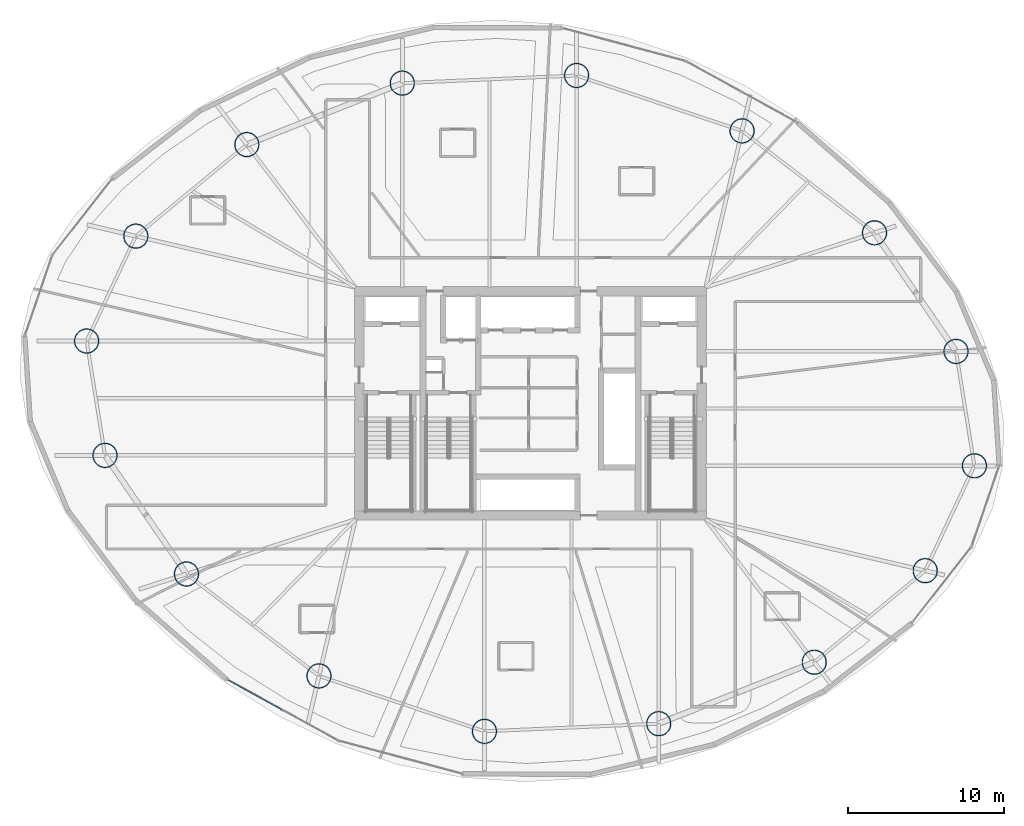
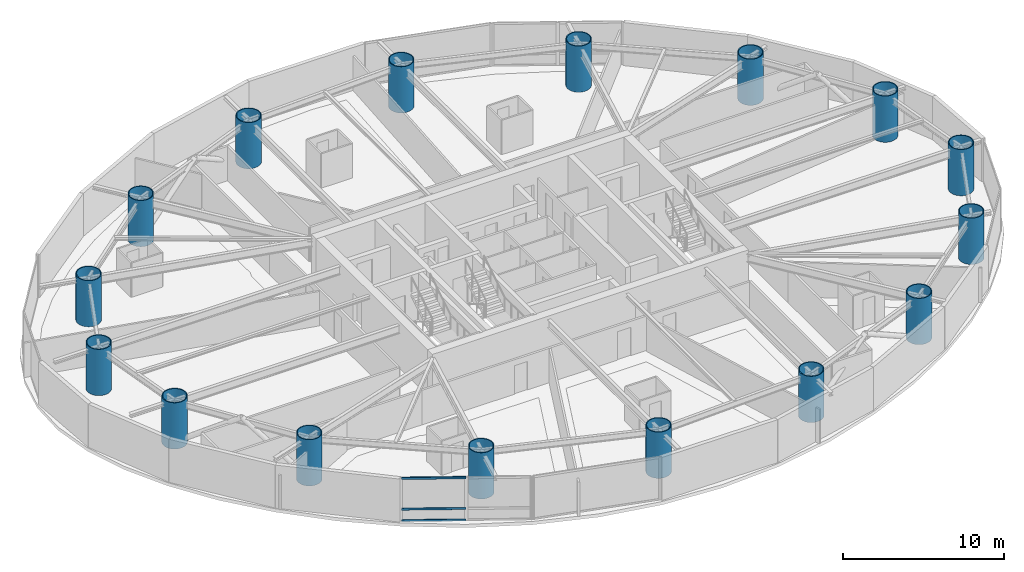
# One storey, part 1 of 23: 16 columns, 3 members, 1 element without a shape of its own.
"""IFC4 building model written with IfcOpenShell, lengths in metres."""

from ifc_helpers import new_model, si_unit, direction, frame, origin, origin_2d, place, context, subcontext, project, spatial, hollow_rectangle, hollow_circle, extrude, material, layer, layer_set, material_profile, profile_set, type_object, element, aggregate, save


model = new_model("IFC4")

# Units and contexts
model_context = context("Model", 3, precision=1e-05, world=origin(), true_north=direction((0.0, 1.0)))
body_context = subcontext(model_context, "Body", "Model", "MODEL_VIEW")
ifc_project = project(units=[si_unit("LENGTHUNIT", "METRE"), si_unit("AREAUNIT", "SQUARE_METRE"), si_unit("VOLUMEUNIT", "CUBIC_METRE"), si_unit("PLANEANGLEUNIT", "RADIAN"), si_unit("MASSUNIT", "GRAM", prefix="KILO")], contexts=[model_context])

# Site, building, storey
site_placement = place(None, origin())
site = spatial("IfcSite", under=ifc_project, at=site_placement, CompositionType="ELEMENT")
building_placement = place(site_placement, origin())
building = spatial("IfcBuilding", under=site, at=building_placement, Name="Bramvorn Convention Spire", CompositionType="ELEMENT")
storey_placement = place(building_placement, frame((0.0, 0.0, 65.89990234375)))
storey = spatial("IfcBuildingStorey", under=building, at=storey_placement, Name="L14", CompositionType="ELEMENT", Elevation=65.89990234375)

# Columns
ifc_material_1 = material(Name="Steel CSA G40.21 Grade 350 (350W)", Category="steel")
ifc_material_profile_1 = material_profile(ifc_material_1, hollow_circle(Radius=0.800048828125, WallThickness=0.06005859375, at=origin_2d()))
ifc_profile_set_1 = profile_set([ifc_material_profile_1], Name="Steel CSA G40.21 Grade 350 (350W) - CFT1600X60")
column_type = type_object("IfcColumnType", Name="COL-CFT1600X60", PredefinedType="COLUMN", material=ifc_profile_set_1)
for number, where, z_axis, x_axis, name in (
    (1, (66.519775390625, 21.99169921875, 0.0), (0.0, 0.0, 1.0), (1.0, 0.0, 0.0), "L14 composite CFT mega-column MC01"),
    (2, (65.338623046875, 29.340087890625, 0.0), (0.0, 0.0, 1.0), (1.0, 0.0, 0.0), "L14 composite CFT mega-column MC02"),
    (3, (60.105224609375, 36.960205078125, 0.0), (0.0, 0.0, 1.0), (1.0, 0.0, 0.0), "L14 composite CFT mega-column MC03"),
    (4, (51.59033203125, 43.509033203125, 0.0), (0.0, 0.0, 1.0), (1.0, 0.0, 0.0), "L14 composite CFT mega-column MC04"),
    (5, (40.9609375, 47.06884765625, 0.0), (0.0, 0.0, 1.0), (1.0, 0.0, 0.0), "L14 composite CFT mega-column MC05"),
    (6, (29.76220703125, 46.57666015625, 0.0), (0.0, 0.0, 1.0), (1.0, 0.0, 0.0), "L14 composite CFT mega-column MC06"),
    (7, (19.772216796875, 42.628662109375, 0.0), (0.0, 0.0, 1.0), (1.0, 0.0, 0.0), "L14 composite CFT mega-column MC07"),
    (8, (12.64111328125, 36.746337890625, 0.0), (0.0, 0.0, 1.0), (1.0, 0.0, 0.0), "L14 composite CFT mega-column MC08"),
    (9, (9.480224609375, 30.00830078125, 0.0), (0.0, 0.0, 1.0), (1.0, 0.0, 0.0), "L14 composite CFT mega-column MC09"),
    (10, (10.661376953125, 22.659912109375, 0.0), (0.0, 0.0, 1.0), (1.0, 0.0, 0.0), "L14 composite CFT mega-column MC10"),
    (11, (15.894775390625, 15.039794921875, 0.0), (0.0, 0.0, 1.0), (1.0, 0.0, 0.0), "L14 composite CFT mega-column MC11"),
    (12, (24.40966796875, 8.490966796875, 0.0), (0.0, 0.0, 1.0), (1.0, 0.0, 0.0), "L14 composite CFT mega-column MC12"),
    (13, (35.0390625, 4.93115234375, 0.0), (0.0, 0.0, 1.0), (1.0, 0.0, 0.0), "L14 composite CFT mega-column MC13"),
    (14, (46.23779296875, 5.42333984375, 0.0), (0.0, 0.0, 1.0), (1.0, 0.0, 0.0), "L14 composite CFT mega-column MC14"),
    (15, (56.227783203125, 9.371337890625, 0.0), (0.0, 0.0, 1.0), (1.0, 0.0, 0.0), "L14 composite CFT mega-column MC15"),
    (16, (63.35888671875, 15.253662109375, 0.0), (0.0, 0.0, 1.0), (1.0, 0.0, 0.0), "L14 composite CFT mega-column MC16"),
):
    element("IfcColumn", number, at=place(storey_placement, frame(where, z_axis=z_axis, x_axis=x_axis)), inside=storey, type_object=column_type, Name=name, PredefinedType="COLUMN", context=body_context, shape_type="SweptSolid", body=[
        extrude(hollow_circle(Radius=0.800048828125, WallThickness=0.06005859375, at=origin_2d()), origin(), (0.0, 0.0, 1.0), 3.5),
    ])

# Curtain wall, members
ifc_material_2 = material(Name="Anodised Bronze Unitised Curtain Wall", Category="aluminium")
ifc_layer = layer(ifc_material_2, 0.179931640625)
ifc_layer_set = layer_set([ifc_layer], Name="Anodised Bronze Unitised Curtain Wall - CW-HTL-FRIT")
curtain_wall_type = type_object("IfcCurtainWallType", Name="CW-HTL-FRIT", PredefinedType="USERDEFINED", material=ifc_layer_set)
curtain_wall_placement = place(storey_placement, origin())
curtain_wall = element("IfcCurtainWall", 17, at=curtain_wall_placement, inside=storey, type_object=curtain_wall_type, Name="L14 fritted glass curtain wall 17", ObjectType="UNITISED CURTAIN WALL", PredefinedType="USERDEFINED")
ifc_material_3 = material(Name="Anodised Bronze Aluminium 6063-T6", Category="aluminium")
ifc_material_profile_2 = material_profile(ifc_material_3, hollow_rectangle(XDim=0.080078125, YDim=0.159912109375, WallThickness=0.00390625, InnerFilletRadius=0.0009765625, OuterFilletRadius=0.00390625, at=origin_2d()))
ifc_profile_set_2 = profile_set([ifc_material_profile_2], Name="Anodised Bronze Aluminium 6063-T6 - CWT80X160")
member_type = type_object("IfcMemberType", Name="CW-TRN-150", PredefinedType="USERDEFINED", material=ifc_profile_set_2)
member_1_placement = place(storey_placement, frame((22.04638671875, 6.311767578125, 0.030029296875), z_axis=(-0.876084289176, 0.482157980603, 0.0), x_axis=(-0.482157980603, -0.876084289176, 0.0)))
member_1 = element("IfcMember", 18, at=member_1_placement, type_object=member_type, Name="CW2 transom 2.1", ObjectType="TRANSOM", PredefinedType="USERDEFINED", context=body_context, shape_type="SweptSolid", body=[
    extrude(hollow_rectangle(XDim=0.080078125, YDim=0.159912109375, WallThickness=0.00390625, InnerFilletRadius=0.0009765625, OuterFilletRadius=0.00390625, at=origin_2d()), origin(), (0.0, 0.0, 1.0), 3.99560546875),
])
member_2_placement = place(storey_placement, frame((22.04638671875, 6.311767578125, 0.900146484375), z_axis=(-0.876084289176, 0.482157980603, 0.0), x_axis=(-0.482157980603, -0.876084289176, 0.0)))
member_2 = element("IfcMember", 19, at=member_2_placement, type_object=member_type, Name="CW2 transom 2.2", ObjectType="TRANSOM", PredefinedType="USERDEFINED", context=body_context, shape_type="SweptSolid", body=[
    extrude(hollow_rectangle(XDim=0.080078125, YDim=0.159912109375, WallThickness=0.00390625, InnerFilletRadius=0.0009765625, OuterFilletRadius=0.00390625, at=origin_2d()), origin(), (0.0, 0.0, 1.0), 3.99560546875),
])
member_3_placement = place(storey_placement, frame((22.04638671875, 6.311767578125, 3.22021484375), z_axis=(-0.876084289176, 0.482157980603, 0.0), x_axis=(-0.482157980603, -0.876084289176, 0.0)))
member_3 = element("IfcMember", 20, at=member_3_placement, type_object=member_type, Name="CW2 transom 2.3", ObjectType="TRANSOM", PredefinedType="USERDEFINED", context=body_context, shape_type="SweptSolid", body=[
    extrude(hollow_rectangle(XDim=0.080078125, YDim=0.159912109375, WallThickness=0.00390625, InnerFilletRadius=0.0009765625, OuterFilletRadius=0.00390625, at=origin_2d()), origin(), (0.0, 0.0, 1.0), 3.99560546875),
])
aggregate(curtain_wall, [member_1, member_2, member_3])

save(model, "model.ifc")
